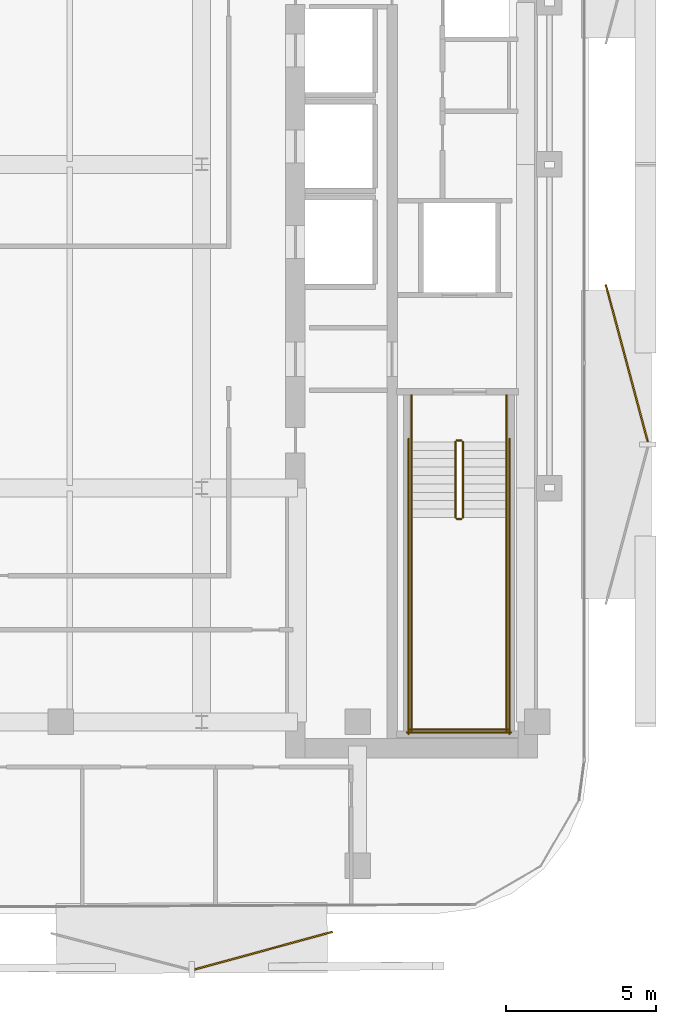
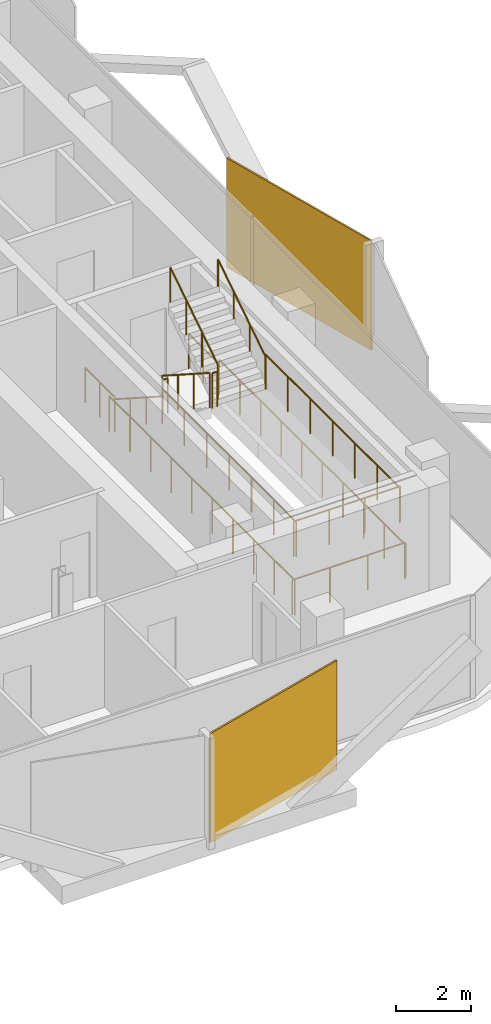
# One storey, part 13 of 14: 14 railings, 2 coverings.
"""IFC4 building model written with IfcOpenShell, lengths in metres."""

from ifc_helpers import new_model, si_unit, direction, frame, origin, origin_2d, place, context, subcontext, project, spatial, rectangle, circle, extrude, material, layer, layer_set, type_object, element, save


model = new_model("IFC4")

# Units and contexts
model_context = context("Model", 3, precision=1e-05, world=origin(), true_north=direction((0.0, 1.0)))
body_context = subcontext(model_context, "Body", "Model", "MODEL_VIEW")
ifc_project = project(units=[si_unit("LENGTHUNIT", "METRE"), si_unit("AREAUNIT", "SQUARE_METRE"), si_unit("VOLUMEUNIT", "CUBIC_METRE"), si_unit("PLANEANGLEUNIT", "RADIAN"), si_unit("MASSUNIT", "GRAM", prefix="KILO")], contexts=[model_context])

# Site, building, storey
site_placement = place(None, origin())
site = spatial("IfcSite", under=ifc_project, at=site_placement, CompositionType="ELEMENT")
building_placement = place(site_placement, origin())
building = spatial("IfcBuilding", under=site, at=building_placement, Name="Khairoan Windgate Tower", CompositionType="ELEMENT")
storey_placement = place(building_placement, frame((0.0, 0.0, 229.60009765625)))
storey = spatial("IfcBuildingStorey", under=building, at=storey_placement, Name="L53", CompositionType="ELEMENT", Elevation=229.60009765625)

# Coverings
ifc_material_1 = material(Name="Anodised Bronze Aluminium 6063-T6", Category="aluminium")
ifc_layer = layer(ifc_material_1, 0.054931640625, Name="Anodised Bronze Aluminium 6063-T6")
ifc_layer_set = layer_set([ifc_layer], Name="Anodised Bronze Aluminium 6063-T6")
covering_type = type_object("IfcCoveringType", Name="Perforated Bronze-Ceramic Folded Solar Screen Cladding BSC-1", PredefinedType="CLADDING", material=ifc_layer_set)
covering_1_placement = place(storey_placement, frame((11.264404296875, -26.226806640625, -0.10009765625), z_axis=(0.0, 0.0, 1.0), x_axis=(-0.964649468762, -0.263536339841, 0.0)))
element("IfcCovering", 1, at=covering_1_placement, inside=storey, type_object=covering_type, Name="L53 Folded Bronze Solar Screen Facet 353L", PredefinedType="CLADDING", context=body_context, shape_type="SweptSolid", body=[
    extrude(rectangle(XDim=4.76708984375, YDim=0.054931640625, at=origin_2d()), origin(), (0.0, 0.0, 1.0), 3.5400390625),
])
covering_2_placement = place(storey_placement, frame((23.378662109375, -6.6376953125, -0.10009765625), z_axis=(0.0, 0.0, 1.0), x_axis=(0.258819045103, -0.965925826289, 0.0)))
element("IfcCovering", 2, at=covering_2_placement, inside=storey, type_object=covering_type, Name="L53 Folded Bronze Solar Screen Facet 360L", PredefinedType="CLADDING", context=body_context, shape_type="SweptSolid", body=[
    extrude(rectangle(XDim=5.419921875, YDim=0.054931640625, at=origin_2d()), origin(), (0.0, 0.0, 1.0), 3.5400390625),
])

# Railings
ifc_material_2 = material(Name="Anodised Bronze Aluminium 6063-T6", Category="aluminium")
railing_type_1 = type_object("IfcRailingType", Name="Stair Wall Handrail SHR-900", PredefinedType="HANDRAIL", material=ifc_material_2)
railing_1_placement = place(storey_placement, frame((16.199951171875, -9.260009765625, 0.179931640625)))
element("IfcRailing", 3, at=railing_1_placement, inside=storey, type_object=railing_type_1, Name="L53 ST1 stair handrail 1", PredefinedType="HANDRAIL", context=body_context, shape_type="SweptSolid", body=[
    extrude(circle(Radius=0.02392578125, at=origin_2d()), frame((0.0, 0.0, 0.8759765625), z_axis=(0.0, -0.841199657755, 0.540724639528), x_axis=(1.0, 0.0, 0.0)), (0.0, 0.0, 1.0), 2.995849609375),
    extrude(circle(Radius=0.02099609375, at=origin_2d()), origin(), (0.0, 0.0, 1.0), 0.851806640625),
    extrude(circle(Radius=0.02099609375, at=origin_2d()), frame((0.0, -0.840087890625, 0.5400390625)), (0.0, 0.0, 1.0), 0.851806640625),
    extrude(circle(Radius=0.02099609375, at=origin_2d()), frame((0.0, -1.679931640625, 1.079833984375)), (0.0, 0.0, 1.0), 0.851806640625),
    extrude(circle(Radius=0.02099609375, at=origin_2d()), frame((0.0, -2.52001953125, 1.619873046875)), (0.0, 0.0, 1.0), 0.851806640625),
])
railing_2_placement = place(storey_placement, frame((19.3701171875, -11.780029296875, 1.97998046875)))
element("IfcRailing", 4, at=railing_2_placement, inside=storey, type_object=railing_type_1, Name="L53 ST1 stair handrail 2", PredefinedType="HANDRAIL", context=body_context, shape_type="SweptSolid", body=[
    extrude(circle(Radius=0.02392578125, at=origin_2d()), frame((0.0, 0.0, 0.8759765625), z_axis=(0.0, 0.841199657755, 0.540724639528), x_axis=(-1.0, 0.0, 0.0)), (0.0, 0.0, 1.0), 2.995849609375),
    extrude(circle(Radius=0.02099609375, at=origin_2d()), origin(), (0.0, 0.0, 1.0), 0.851806640625),
    extrude(circle(Radius=0.02099609375, at=origin_2d()), frame((0.0, 0.840087890625, 0.5400390625)), (0.0, 0.0, 1.0), 0.851806640625),
    extrude(circle(Radius=0.02099609375, at=origin_2d()), frame((0.0, 1.679931640625, 1.079833984375)), (0.0, 0.0, 1.0), 0.851806640625),
    extrude(circle(Radius=0.02099609375, at=origin_2d()), frame((0.0, 2.52001953125, 1.619873046875)), (0.0, 0.0, 1.0), 0.851806640625),
])
ifc_material_3 = material(Name="Steel S355", Category="steel")
railing_type_2 = type_object("IfcRailingType", Name="Stairwell Safety Guardrail SGR-1150", PredefinedType="GUARDRAIL", material=ifc_material_3)
railing_3_placement = place(storey_placement, frame((17.659912109375, -9.260009765625, 0.179931640625)))
element("IfcRailing", 5, at=railing_3_placement, inside=storey, type_object=railing_type_2, Name="L53 ST1 stair guard 1", PredefinedType="GUARDRAIL", context=body_context, shape_type="SweptSolid", body=[
    extrude(circle(Radius=0.02392578125, at=origin_2d()), frame((0.0, 0.0, 1.1259765625), z_axis=(0.0, -0.841199657755, 0.540724639528), x_axis=(1.0, 0.0, 0.0)), (0.0, 0.0, 1.0), 2.995849609375),
    extrude(circle(Radius=0.02099609375, at=origin_2d()), origin(), (0.0, 0.0, 1.0), 1.101806640625),
    extrude(circle(Radius=0.02099609375, at=origin_2d()), frame((0.0, -0.840087890625, 0.5400390625)), (0.0, 0.0, 1.0), 1.101806640625),
    extrude(circle(Radius=0.02099609375, at=origin_2d()), frame((0.0, -1.679931640625, 1.079833984375)), (0.0, 0.0, 1.0), 1.101806640625),
    extrude(circle(Radius=0.02099609375, at=origin_2d()), frame((0.0, -2.52001953125, 1.619873046875)), (0.0, 0.0, 1.0), 1.101806640625),
])
railing_4_placement = place(storey_placement, frame((17.7099609375, -11.830078125, 1.7998046875)))
element("IfcRailing", 6, at=railing_4_placement, inside=storey, type_object=railing_type_2, Name="L53 ST1 stair guard 2", PredefinedType="GUARDRAIL", context=body_context, shape_type="SweptSolid", body=[
    extrude(circle(Radius=0.02392578125, at=origin_2d()), frame((0.0, 0.0, 1.1259765625), z_axis=(1.0, 0.0, 0.0), x_axis=(0.0, 1.0, 0.0)), (0.0, 0.0, 1.0), 0.150146484375),
    extrude(circle(Radius=0.02099609375, at=origin_2d()), origin(), (0.0, 0.0, 1.0), 1.101806640625),
    extrude(circle(Radius=0.02099609375, at=origin_2d()), frame((0.150146484375, 0.0, 0.0)), (0.0, 0.0, 1.0), 1.101806640625),
])
for number, where, name in (
    (7, (16.199951171875, -11.780029296875, 1.7998046875), "L53 ST1 stair guard 3"),
    (8, (19.3701171875, -11.780029296875, 1.7998046875), "L53 ST1 stair guard 4"),
):
    element("IfcRailing", number, at=place(storey_placement, frame(where)), inside=storey, type_object=railing_type_2, Name=name, PredefinedType="GUARDRAIL", context=body_context, shape_type="SweptSolid", body=[
        extrude(circle(Radius=0.02392578125, at=origin_2d()), frame((0.0, 0.0, 1.1259765625), z_axis=(0.0, -1.0, 0.0), x_axis=(1.0, 0.0, 0.0)), (0.0, 0.0, 1.0), 7.119873046875),
        extrude(circle(Radius=0.02099609375, at=origin_2d()), origin(), (0.0, 0.0, 1.0), 1.101806640625),
        extrude(circle(Radius=0.02099609375, at=origin_2d()), frame((0.0, -1.1865234375, 0.0)), (0.0, 0.0, 1.0), 1.101806640625),
        extrude(circle(Radius=0.02099609375, at=origin_2d()), frame((0.0, -2.373291015625, 0.0)), (0.0, 0.0, 1.0), 1.101806640625),
        extrude(circle(Radius=0.02099609375, at=origin_2d()), frame((0.0, -3.56005859375, 0.0)), (0.0, 0.0, 1.0), 1.101806640625),
        extrude(circle(Radius=0.02099609375, at=origin_2d()), frame((0.0, -4.74658203125, 0.0)), (0.0, 0.0, 1.0), 1.101806640625),
        extrude(circle(Radius=0.02099609375, at=origin_2d()), frame((0.0, -5.93310546875, 0.0)), (0.0, 0.0, 1.0), 1.101806640625),
        extrude(circle(Radius=0.02099609375, at=origin_2d()), frame((0.0, -7.119873046875, 0.0)), (0.0, 0.0, 1.0), 1.101806640625),
    ])
railing_5_placement = place(storey_placement, frame((16.14990234375, -18.85009765625, 1.7998046875)))
element("IfcRailing", 9, at=railing_5_placement, inside=storey, type_object=railing_type_2, Name="L53 ST1 stair guard 5", PredefinedType="GUARDRAIL", context=body_context, shape_type="SweptSolid", body=[
    extrude(circle(Radius=0.02392578125, at=origin_2d()), frame((0.0, 0.0, 1.1259765625), z_axis=(1.0, 0.0, 0.0), x_axis=(0.0, 1.0, 0.0)), (0.0, 0.0, 1.0), 3.27001953125),
    extrude(circle(Radius=0.02099609375, at=origin_2d()), origin(), (0.0, 0.0, 1.0), 1.101806640625),
    extrude(circle(Radius=0.02099609375, at=origin_2d()), frame((1.090087890625, 0.0, 0.0)), (0.0, 0.0, 1.0), 1.101806640625),
    extrude(circle(Radius=0.02099609375, at=origin_2d()), frame((2.179931640625, 0.0, 0.0)), (0.0, 0.0, 1.0), 1.101806640625),
    extrude(circle(Radius=0.02099609375, at=origin_2d()), frame((3.27001953125, 0.0, 0.0)), (0.0, 0.0, 1.0), 1.101806640625),
])
railing_6_placement = place(storey_placement, frame((17.909912109375, -11.780029296875, 1.97998046875)))
element("IfcRailing", 10, at=railing_6_placement, inside=storey, type_object=railing_type_2, Name="L53 ST1 stair guard 6", PredefinedType="GUARDRAIL", context=body_context, shape_type="SweptSolid", body=[
    extrude(circle(Radius=0.02392578125, at=origin_2d()), frame((0.0, 0.0, 1.1259765625), z_axis=(0.0, 0.841199657755, 0.540724639528), x_axis=(-1.0, 0.0, 0.0)), (0.0, 0.0, 1.0), 2.995849609375),
    extrude(circle(Radius=0.02099609375, at=origin_2d()), origin(), (0.0, 0.0, 1.0), 1.101806640625),
    extrude(circle(Radius=0.02099609375, at=origin_2d()), frame((0.0, 0.840087890625, 0.5400390625)), (0.0, 0.0, 1.0), 1.101806640625),
    extrude(circle(Radius=0.02099609375, at=origin_2d()), frame((0.0, 1.679931640625, 1.079833984375)), (0.0, 0.0, 1.0), 1.101806640625),
    extrude(circle(Radius=0.02099609375, at=origin_2d()), frame((0.0, 2.52001953125, 1.619873046875)), (0.0, 0.0, 1.0), 1.101806640625),
])
railing_7_placement = place(storey_placement, frame((17.7099609375, -9.2099609375, 0.0)))
element("IfcRailing", 11, at=railing_7_placement, inside=storey, type_object=railing_type_2, Name="L53 ST1 stair guard 7", PredefinedType="GUARDRAIL", context=body_context, shape_type="SweptSolid", body=[
    extrude(circle(Radius=0.02392578125, at=origin_2d()), frame((0.0, 0.0, 1.1259765625), z_axis=(1.0, 0.0, 0.0), x_axis=(0.0, 1.0, 0.0)), (0.0, 0.0, 1.0), 0.150146484375),
    extrude(circle(Radius=0.02099609375, at=origin_2d()), origin(), (0.0, 0.0, 1.0), 1.101806640625),
    extrude(circle(Radius=0.02099609375, at=origin_2d()), frame((0.150146484375, 0.0, 0.0)), (0.0, 0.0, 1.0), 1.101806640625),
])
for number, where, name in (
    (12, (16.199951171875, -7.699951171875, 0.0), "L53 ST1 stair guard 8"),
    (13, (19.3701171875, -7.699951171875, 0.0), "L53 ST1 stair guard 9"),
):
    element("IfcRailing", number, at=place(storey_placement, frame(where)), inside=storey, type_object=railing_type_2, Name=name, PredefinedType="GUARDRAIL", context=body_context, shape_type="SweptSolid", body=[
        extrude(circle(Radius=0.02392578125, at=origin_2d()), frame((0.0, 0.0, 1.1259765625), z_axis=(0.0, -1.0, 0.0), x_axis=(1.0, 0.0, 0.0)), (0.0, 0.0, 1.0), 1.56005859375),
        extrude(circle(Radius=0.02099609375, at=origin_2d()), origin(), (0.0, 0.0, 1.0), 1.101806640625),
        extrude(circle(Radius=0.02099609375, at=origin_2d()), frame((0.0, -0.780029296875, 0.0)), (0.0, 0.0, 1.0), 1.101806640625),
        extrude(circle(Radius=0.02099609375, at=origin_2d()), frame((0.0, -1.56005859375, 0.0)), (0.0, 0.0, 1.0), 1.101806640625),
    ])
for number, where, name in (
    (14, (16.10009765625, -9.159912109375, 0.0), "L53 ST1 stair guard 10"),
    (15, (19.469970703125, -9.159912109375, 0.0), "L53 ST1 stair guard 11"),
):
    element("IfcRailing", number, at=place(storey_placement, frame(where)), inside=storey, type_object=railing_type_2, Name=name, PredefinedType="GUARDRAIL", context=body_context, shape_type="SweptSolid", body=[
        extrude(circle(Radius=0.02392578125, at=origin_2d()), frame((0.0, 0.0, 1.1259765625), z_axis=(0.0, -1.0, 0.0), x_axis=(1.0, 0.0, 0.0)), (0.0, 0.0, 1.0), 9.840087890625),
        extrude(circle(Radius=0.02099609375, at=origin_2d()), origin(), (0.0, 0.0, 1.0), 1.101806640625),
        extrude(circle(Radius=0.02099609375, at=origin_2d()), frame((0.0, -1.09326171875, 0.0)), (0.0, 0.0, 1.0), 1.101806640625),
        extrude(circle(Radius=0.02099609375, at=origin_2d()), frame((0.0, -2.186767578125, 0.0)), (0.0, 0.0, 1.0), 1.101806640625),
        extrude(circle(Radius=0.02099609375, at=origin_2d()), frame((0.0, -3.280029296875, 0.0)), (0.0, 0.0, 1.0), 1.101806640625),
        extrude(circle(Radius=0.02099609375, at=origin_2d()), frame((0.0, -4.373291015625, 0.0)), (0.0, 0.0, 1.0), 1.101806640625),
        extrude(circle(Radius=0.02099609375, at=origin_2d()), frame((0.0, -5.466796875, 0.0)), (0.0, 0.0, 1.0), 1.101806640625),
        extrude(circle(Radius=0.02099609375, at=origin_2d()), frame((0.0, -6.56005859375, 0.0)), (0.0, 0.0, 1.0), 1.101806640625),
        extrude(circle(Radius=0.02099609375, at=origin_2d()), frame((0.0, -7.6533203125, 0.0)), (0.0, 0.0, 1.0), 1.101806640625),
        extrude(circle(Radius=0.02099609375, at=origin_2d()), frame((0.0, -8.746826171875, 0.0)), (0.0, 0.0, 1.0), 1.101806640625),
        extrude(circle(Radius=0.02099609375, at=origin_2d()), frame((0.0, -9.840087890625, 0.0)), (0.0, 0.0, 1.0), 1.101806640625),
    ])
railing_8_placement = place(storey_placement, frame((16.050048828125, -18.949951171875, 0.0)))
element("IfcRailing", 16, at=railing_8_placement, inside=storey, type_object=railing_type_2, Name="L53 ST1 stair guard 12", PredefinedType="GUARDRAIL", context=body_context, shape_type="SweptSolid", body=[
    extrude(circle(Radius=0.02392578125, at=origin_2d()), frame((0.0, 0.0, 1.1259765625), z_axis=(1.0, 0.0, 0.0), x_axis=(0.0, 1.0, 0.0)), (0.0, 0.0, 1.0), 3.469970703125),
    extrude(circle(Radius=0.02099609375, at=origin_2d()), origin(), (0.0, 0.0, 1.0), 1.101806640625),
    extrude(circle(Radius=0.02099609375, at=origin_2d()), frame((1.15673828125, 0.0, 0.0)), (0.0, 0.0, 1.0), 1.101806640625),
    extrude(circle(Radius=0.02099609375, at=origin_2d()), frame((2.313232421875, 0.0, 0.0)), (0.0, 0.0, 1.0), 1.101806640625),
    extrude(circle(Radius=0.02099609375, at=origin_2d()), frame((3.469970703125, 0.0, 0.0)), (0.0, 0.0, 1.0), 1.101806640625),
])

save(model, "model.ifc")
